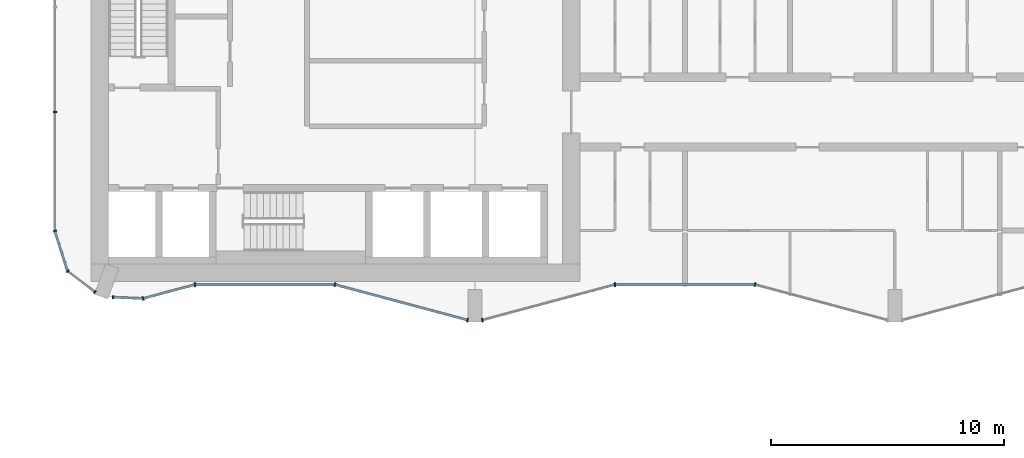
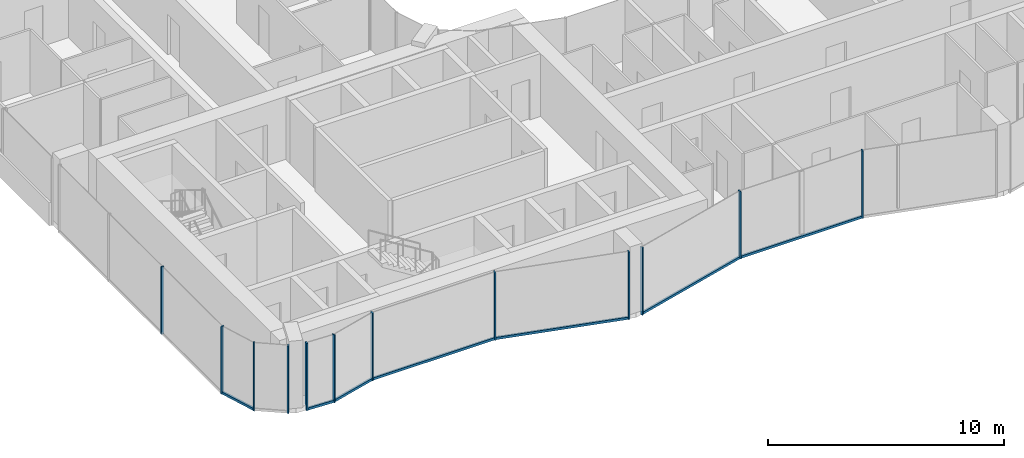
# One storey, part 2 of 23: 19 members, 10 elements without a shape of their own.
"""IFC4 building model written with IfcOpenShell, lengths in metres."""

from ifc_helpers import new_model, si_unit, direction, frame, origin, origin_2d, place, context, subcontext, project, spatial, rectangle, extrude, material, layer, layer_set, material_profile, profile_set, type_object, element, aggregate, save


model = new_model("IFC4")

# Units and contexts
model_context = context("Model", 3, precision=1e-05, world=origin(), true_north=direction((0.0, 1.0)))
body_context = subcontext(model_context, "Body", "Model", "MODEL_VIEW")
ifc_project = project(units=[si_unit("LENGTHUNIT", "METRE"), si_unit("AREAUNIT", "SQUARE_METRE"), si_unit("VOLUMEUNIT", "CUBIC_METRE"), si_unit("PLANEANGLEUNIT", "RADIAN"), si_unit("MASSUNIT", "GRAM", prefix="KILO")], contexts=[model_context])

# Site, building, storey
site_placement = place(None, origin())
site = spatial("IfcSite", under=ifc_project, at=site_placement, CompositionType="ELEMENT")
building_placement = place(site_placement, origin())
building = spatial("IfcBuilding", under=site, at=building_placement, Name="Plateau Cross Towers", CompositionType="ELEMENT")
storey_placement = place(building_placement, frame((0.0, 0.0, 33.800048828125)))
storey = spatial("IfcBuildingStorey", under=building, at=storey_placement, Name="L07", CompositionType="ELEMENT", Elevation=33.800048828125)

# Curtain wall, member
ifc_material_1 = material(Name="Dark low-iron glass", Category="glass")
ifc_layer_1 = layer(ifc_material_1, 0.239990234375)
ifc_layer_set_1 = layer_set([ifc_layer_1], Name="Dark low-iron glass")
curtain_wall_type_1 = type_object("IfcCurtainWallType", Name="Curtain wall flush unitised CW-B", PredefinedType="NOTDEFINED", material=ifc_layer_set_1)
curtain_wall_1_placement = place(storey_placement, origin())
curtain_wall_1 = element("IfcCurtainWall", 1, at=curtain_wall_1_placement, inside=storey, type_object=curtain_wall_type_1, Name="ENV/A/L07/A0_177", PredefinedType="NOTDEFINED")
ifc_material_2 = material(Name="Black anodised aluminium", Category="aluminium")
ifc_material_profile_1 = material_profile(ifc_material_2, rectangle(XDim=0.06005859375, YDim=0.139892578125, at=origin_2d()), Name="MULLION 60x140")
ifc_profile_set_1 = profile_set([ifc_material_profile_1], Name="Black anodised aluminium")
member_type_1 = type_object("IfcMemberType", Name="Mullion 60x140 flush unitised", PredefinedType="MULLION", material=ifc_profile_set_1)
member_1_placement = place(storey_placement, frame((0.0, 9.0, -0.25), z_axis=(0.0, 0.0, 1.0), x_axis=(0.0, -1.0, 0.0)))
member_1 = element("IfcMember", 2, at=member_1_placement, type_object=member_type_1, Name="CW-B mullion 3", PredefinedType="MULLION", context=body_context, shape_type="SweptSolid", body=[
    extrude(rectangle(XDim=0.06005859375, YDim=0.139892578125, at=origin_2d()), origin(), (0.0, 0.0, 1.0), 3.5),
])
aggregate(curtain_wall_1, [member_1])

curtain_wall_2_placement = place(storey_placement, origin())
curtain_wall_2 = element("IfcCurtainWall", 3, at=curtain_wall_2_placement, inside=storey, type_object=curtain_wall_type_1, Name="ENV/A/L07/A0_39", PredefinedType="NOTDEFINED")
member_2_placement = place(storey_placement, frame((0.0, 3.9091796875, -0.25), z_axis=(0.0, 0.0, 1.0), x_axis=(0.300686174994, -0.95372313811, 0.0)))
member_2 = element("IfcMember", 4, at=member_2_placement, type_object=member_type_1, Name="CW-B mullion 1", PredefinedType="MULLION", context=body_context, shape_type="SweptSolid", body=[
    extrude(rectangle(XDim=0.06005859375, YDim=0.139892578125, at=origin_2d()), origin(), (0.0, 0.0, 1.0), 3.5),
])

# Curtain wall, members
curtain_wall_3_placement = place(storey_placement, origin())
curtain_wall_3 = element("IfcCurtainWall", 5, at=curtain_wall_3_placement, inside=storey, type_object=curtain_wall_type_1, Name="ENV/A/L07/A5_22", PredefinedType="NOTDEFINED")
member_3_placement = place(storey_placement, frame((0.54248046875, 2.1884765625, -0.25), z_axis=(0.0, 0.0, 1.0), x_axis=(0.793315514529, -0.608810721331, 0.0)))
member_3 = element("IfcMember", 6, at=member_3_placement, type_object=member_type_1, Name="CW-B mullion 1", PredefinedType="MULLION", context=body_context, shape_type="SweptSolid", body=[
    extrude(rectangle(XDim=0.06005859375, YDim=0.139892578125, at=origin_2d()), origin(), (0.0, 0.0, 1.0), 3.5),
])
member_4_placement = place(storey_placement, frame((1.709716796875, 1.292724609375, -0.25), z_axis=(0.0, 0.0, 1.0), x_axis=(0.793315514529, -0.608810721331, 0.0)))
member_4 = element("IfcMember", 7, at=member_4_placement, type_object=member_type_1, Name="CW-B mullion 2", PredefinedType="MULLION", context=body_context, shape_type="SweptSolid", body=[
    extrude(rectangle(XDim=0.06005859375, YDim=0.139892578125, at=origin_2d()), origin(), (0.0, 0.0, 1.0), 3.5),
])
aggregate(curtain_wall_3, [member_3, member_4])

# Curtain wall, member
curtain_wall_4_placement = place(storey_placement, origin())
curtain_wall_4 = element("IfcCurtainWall", 8, at=curtain_wall_4_placement, inside=storey, type_object=curtain_wall_type_1, Name="ENV/A/L07/A25_11", PredefinedType="NOTDEFINED")
member_5_placement = place(storey_placement, frame((2.483642578125, 1.06787109375, -0.25), z_axis=(0.0, 0.0, 1.0), x_axis=(0.999043701491, -0.043722791671, 0.0)))
member_5 = element("IfcMember", 9, at=member_5_placement, type_object=member_type_1, Name="CW-B mullion 1", PredefinedType="MULLION", context=body_context, shape_type="SweptSolid", body=[
    extrude(rectangle(XDim=0.06005859375, YDim=0.139892578125, at=origin_2d()), origin(), (0.0, 0.0, 1.0), 3.5),
])

ifc_layer_2 = layer(ifc_material_1, 0.260009765625)
ifc_layer_set_2 = layer_set([ifc_layer_2], Name="Dark low-iron glass")
curtain_wall_type_2 = type_object("IfcCurtainWallType", Name="Curtain wall fluted unitised CW-A", PredefinedType="NOTDEFINED", material=ifc_layer_set_2)
curtain_wall_5_placement = place(storey_placement, origin())
curtain_wall_5 = element("IfcCurtainWall", 10, at=curtain_wall_5_placement, inside=storey, type_object=curtain_wall_type_2, Name="ENV/A/L07/A38_10", PredefinedType="NOTDEFINED")
ifc_material_profile_2 = material_profile(ifc_material_2, rectangle(XDim=0.06005859375, YDim=0.159912109375, at=origin_2d()), Name="MULLION 60x160")
ifc_profile_set_2 = profile_set([ifc_material_profile_2], Name="Black anodised aluminium")
member_type_2 = type_object("IfcMemberType", Name="Mullion 60x160 fluted unitised", PredefinedType="MULLION", material=ifc_profile_set_2)
member_6_placement = place(storey_placement, frame((3.776123046875, 1.01123046875, -0.25), z_axis=(0.0, 0.0, 1.0), x_axis=(0.965957962328, 0.258699081978, 0.0)))
member_6 = element("IfcMember", 11, at=member_6_placement, type_object=member_type_2, Name="CW-A mullion 1", PredefinedType="MULLION", context=body_context, shape_type="SweptSolid", body=[
    extrude(rectangle(XDim=0.06005859375, YDim=0.159912109375, at=origin_2d()), origin(), (0.0, 0.0, 1.0), 3.5),
])

curtain_wall_6_placement = place(storey_placement, origin())
curtain_wall_6 = element("IfcCurtainWall", 12, at=curtain_wall_6_placement, inside=storey, type_object=curtain_wall_type_2, Name="ENV/A/L07/A60_16", PredefinedType="NOTDEFINED")
member_7_placement = place(storey_placement, frame((6.0, 1.60693359375, -0.25), z_axis=(0.0, 0.0, 1.0), x_axis=(1.0, 0.0, 0.0)))
member_7 = element("IfcMember", 13, at=member_7_placement, type_object=member_type_2, Name="CW-A mullion 1", PredefinedType="MULLION", context=body_context, shape_type="SweptSolid", body=[
    extrude(rectangle(XDim=0.06005859375, YDim=0.159912109375, at=origin_2d()), origin(), (0.0, 0.0, 1.0), 3.5),
])

# Curtain wall, members
curtain_wall_7_placement = place(storey_placement, origin())
curtain_wall_7 = element("IfcCurtainWall", 14, at=curtain_wall_7_placement, inside=storey, type_object=curtain_wall_type_2, Name="ENV/A/L07/A120_16", PredefinedType="NOTDEFINED")
member_8_placement = place(storey_placement, frame((12.0, 1.60693359375, -0.25), z_axis=(0.0, 0.0, 1.0), x_axis=(0.965957983404, -0.258699003279, 0.0)))
member_8 = element("IfcMember", 15, at=member_8_placement, type_object=member_type_2, Name="CW-A mullion 1", PredefinedType="MULLION", context=body_context, shape_type="SweptSolid", body=[
    extrude(rectangle(XDim=0.06005859375, YDim=0.159912109375, at=origin_2d()), origin(), (0.0, 0.0, 1.0), 3.5),
])
member_9_placement = place(storey_placement, frame((17.68212890625, 0.085205078125, -0.25), z_axis=(0.0, 0.0, 1.0), x_axis=(0.965957983404, -0.258699003279, 0.0)))
member_9 = element("IfcMember", 16, at=member_9_placement, type_object=member_type_2, Name="CW-A mullion 2", PredefinedType="MULLION", context=body_context, shape_type="SweptSolid", body=[
    extrude(rectangle(XDim=0.06005859375, YDim=0.159912109375, at=origin_2d()), origin(), (0.0, 0.0, 1.0), 3.5),
])

# Curtain wall, member
curtain_wall_8_placement = place(storey_placement, origin())
curtain_wall_8 = element("IfcCurtainWall", 17, at=curtain_wall_8_placement, inside=storey, type_object=curtain_wall_type_2, Name="ENV/A/L07/A183_1", PredefinedType="NOTDEFINED")
member_10_placement = place(storey_placement, frame((18.31787109375, 0.085205078125, -0.25), z_axis=(0.0, 0.0, 1.0), x_axis=(0.965957983404, 0.258699003279, 0.0)))
member_10 = element("IfcMember", 18, at=member_10_placement, type_object=member_type_2, Name="CW-A mullion 1", PredefinedType="MULLION", context=body_context, shape_type="SweptSolid", body=[
    extrude(rectangle(XDim=0.06005859375, YDim=0.159912109375, at=origin_2d()), origin(), (0.0, 0.0, 1.0), 3.5),
])

curtain_wall_9_placement = place(storey_placement, origin())
curtain_wall_9 = element("IfcCurtainWall", 19, at=curtain_wall_9_placement, inside=storey, type_object=curtain_wall_type_2, Name="ENV/A/L07/A240_16", PredefinedType="NOTDEFINED")
member_11_placement = place(storey_placement, frame((24.0, 1.60693359375, -0.25), z_axis=(0.0, 0.0, 1.0), x_axis=(1.0, 0.0, 0.0)))
member_11 = element("IfcMember", 20, at=member_11_placement, type_object=member_type_2, Name="CW-A mullion 1", PredefinedType="MULLION", context=body_context, shape_type="SweptSolid", body=[
    extrude(rectangle(XDim=0.06005859375, YDim=0.159912109375, at=origin_2d()), origin(), (0.0, 0.0, 1.0), 3.5),
])

curtain_wall_10_placement = place(storey_placement, origin())
curtain_wall_10 = element("IfcCurtainWall", 21, at=curtain_wall_10_placement, inside=storey, type_object=curtain_wall_type_2, Name="ENV/A/L07/A300_16", PredefinedType="NOTDEFINED")
member_12_placement = place(storey_placement, frame((30.0, 1.60693359375, -0.25), z_axis=(0.0, 0.0, 1.0), x_axis=(0.965957983404, -0.258699003279, 0.0)))
member_12 = element("IfcMember", 22, at=member_12_placement, type_object=member_type_2, Name="CW-A mullion 1", PredefinedType="MULLION", context=body_context, shape_type="SweptSolid", body=[
    extrude(rectangle(XDim=0.06005859375, YDim=0.159912109375, at=origin_2d()), origin(), (0.0, 0.0, 1.0), 3.5),
])
aggregate(curtain_wall_10, [member_12])

# Member
ifc_material_profile_3 = material_profile(ifc_material_2, rectangle(XDim=0.10009765625, YDim=0.1201171875, at=origin_2d()), Name="TRANSOM 100x120")
ifc_profile_set_3 = profile_set([ifc_material_profile_3], Name="Black anodised aluminium")
member_type_3 = type_object("IfcMemberType", Name="Transom 100x120 flush unitised", PredefinedType="USERDEFINED", material=ifc_profile_set_3)
member_13_placement = place(storey_placement, frame((0.0, 3.9091796875, -0.18994140625), z_axis=(0.30067799945, -0.953725715626, 0.0), x_axis=(0.953725715626, 0.30067799945, 0.0)))
member_13 = element("IfcMember", 23, at=member_13_placement, type_object=member_type_3, Name="CW-B transom", ObjectType="TRANSOM", PredefinedType="USERDEFINED", context=body_context, shape_type="SweptSolid", body=[
    extrude(rectangle(XDim=0.10009765625, YDim=0.1201171875, at=origin_2d()), origin(), (0.0, 0.0, 1.0), 1.80419921875),
])

aggregate(curtain_wall_2, [member_2, member_13])

member_14_placement = place(storey_placement, frame((2.483642578125, 1.06787109375, -0.18994140625), z_axis=(0.999041144614, -0.043781175963, 0.0), x_axis=(0.043781175963, 0.999041144614, 0.0)))
member_14 = element("IfcMember", 24, at=member_14_placement, type_object=member_type_3, Name="CW-B transom", ObjectType="TRANSOM", PredefinedType="USERDEFINED", context=body_context, shape_type="SweptSolid", body=[
    extrude(rectangle(XDim=0.10009765625, YDim=0.1201171875, at=origin_2d()), origin(), (0.0, 0.0, 1.0), 1.293701171875),
])

aggregate(curtain_wall_4, [member_5, member_14])

ifc_material_profile_4 = material_profile(ifc_material_2, rectangle(XDim=0.10009765625, YDim=0.1201171875, at=origin_2d()), Name="TRANSOM 100x120")
ifc_profile_set_4 = profile_set([ifc_material_profile_4], Name="Black anodised aluminium")
member_type_4 = type_object("IfcMemberType", Name="Transom 100x120 fluted unitised", PredefinedType="USERDEFINED", material=ifc_profile_set_4)
member_15_placement = place(storey_placement, frame((3.776123046875, 1.01123046875, -0.18994140625), z_axis=(0.965945685136, 0.258744919501, 0.0), x_axis=(-0.258744919501, 0.965945685136, 0.0)))
member_15 = element("IfcMember", 25, at=member_15_placement, type_object=member_type_4, Name="CW-A transom", ObjectType="TRANSOM", PredefinedType="USERDEFINED", context=body_context, shape_type="SweptSolid", body=[
    extrude(rectangle(XDim=0.10009765625, YDim=0.1201171875, at=origin_2d()), origin(), (0.0, 0.0, 1.0), 2.30224609375),
])

aggregate(curtain_wall_5, [member_6, member_15])

member_16_placement = place(storey_placement, frame((6.0, 1.60693359375, -0.18994140625), z_axis=(1.0, 0.0, 0.0), x_axis=(0.0, 1.0, 0.0)))
member_16 = element("IfcMember", 26, at=member_16_placement, type_object=member_type_4, Name="CW-A transom", ObjectType="TRANSOM", PredefinedType="USERDEFINED", context=body_context, shape_type="SweptSolid", body=[
    extrude(rectangle(XDim=0.10009765625, YDim=0.1201171875, at=origin_2d()), origin(), (0.0, 0.0, 1.0), 6.0),
])

aggregate(curtain_wall_6, [member_7, member_16])

member_17_placement = place(storey_placement, frame((12.0, 1.60693359375, -0.18994140625), z_axis=(0.965959534794, -0.258693210465, 0.0), x_axis=(0.258693210465, 0.965959534794, 0.0)))
member_17 = element("IfcMember", 27, at=member_17_placement, type_object=member_type_4, Name="CW-A transom", ObjectType="TRANSOM", PredefinedType="USERDEFINED", context=body_context, shape_type="SweptSolid", body=[
    extrude(rectangle(XDim=0.10009765625, YDim=0.1201171875, at=origin_2d()), origin(), (0.0, 0.0, 1.0), 5.88232421875),
])

aggregate(curtain_wall_7, [member_8, member_9, member_17])

member_18_placement = place(storey_placement, frame((18.31787109375, 0.085205078125, -0.18994140625), z_axis=(0.965959534794, 0.258693210465, 0.0), x_axis=(-0.258693210465, 0.965959534794, 0.0)))
member_18 = element("IfcMember", 28, at=member_18_placement, type_object=member_type_4, Name="CW-A transom", ObjectType="TRANSOM", PredefinedType="USERDEFINED", context=body_context, shape_type="SweptSolid", body=[
    extrude(rectangle(XDim=0.10009765625, YDim=0.1201171875, at=origin_2d()), origin(), (0.0, 0.0, 1.0), 5.88232421875),
])

aggregate(curtain_wall_8, [member_10, member_18])

member_19_placement = place(storey_placement, frame((24.0, 1.60693359375, -0.18994140625), z_axis=(1.0, 0.0, 0.0), x_axis=(0.0, 1.0, 0.0)))
member_19 = element("IfcMember", 29, at=member_19_placement, type_object=member_type_4, Name="CW-A transom", ObjectType="TRANSOM", PredefinedType="USERDEFINED", context=body_context, shape_type="SweptSolid", body=[
    extrude(rectangle(XDim=0.10009765625, YDim=0.1201171875, at=origin_2d()), origin(), (0.0, 0.0, 1.0), 6.0),
])

aggregate(curtain_wall_9, [member_11, member_19])

save(model, "model.ifc")
